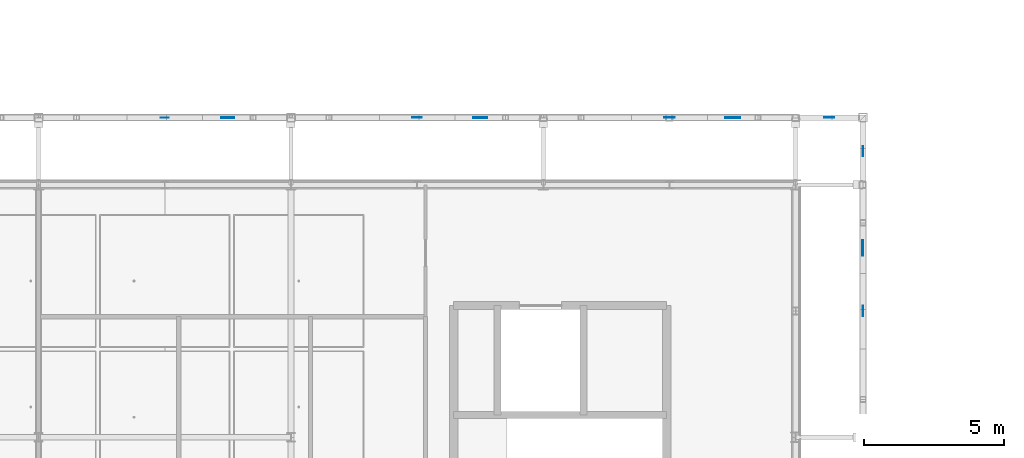
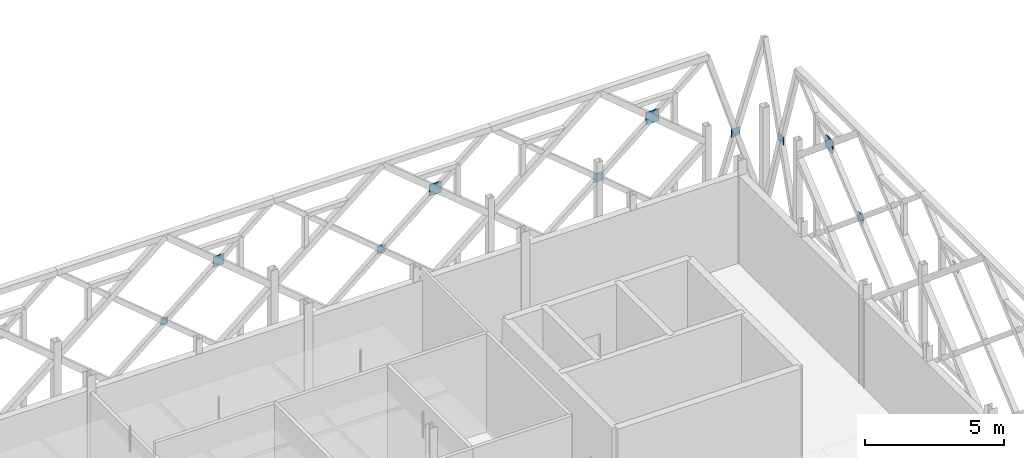
# One storey, part 41 of 66: 10 plates.
"""IFC4 building model written with IfcOpenShell, lengths in metres."""

from ifc_helpers import new_model, si_unit, direction, frame, origin, origin_2d, place, context, subcontext, project, spatial, rectangle, extrude, material, layer, layer_set, type_object, element, save


model = new_model("IFC4")

# Units and contexts
model_context = context("Model", 3, precision=1e-05, world=origin(), true_north=direction((0.0, 1.0)))
body_context = subcontext(model_context, "Body", "Model", "MODEL_VIEW")
ifc_project = project(units=[si_unit("LENGTHUNIT", "METRE"), si_unit("AREAUNIT", "SQUARE_METRE"), si_unit("VOLUMEUNIT", "CUBIC_METRE"), si_unit("PLANEANGLEUNIT", "RADIAN"), si_unit("MASSUNIT", "GRAM", prefix="KILO"), si_unit("THERMODYNAMICTEMPERATUREUNIT", "KELVIN"), si_unit("POWERUNIT", "WATT")], contexts=[model_context])

# Site, building, storey
site_placement = place(None, origin())
site = spatial("IfcSite", under=ifc_project, at=site_placement, CompositionType="ELEMENT")
building_placement = place(site_placement, origin())
building = spatial("IfcBuilding", under=site, at=building_placement, Name="Tallowbark Science Centre", CompositionType="ELEMENT")
storey_placement = place(building_placement, frame((0.0, 0.0, 18.89990234375)))
storey = spatial("IfcBuildingStorey", under=building, at=storey_placement, Name="L04", CompositionType="ELEMENT", Elevation=18.89990234375)

# Plates
ifc_material = material(Name="Structural Steel Grade 300PLUS (300 MPa)", Category="steel")
ifc_layer_1 = layer(ifc_material, 0.010009765625)
ifc_layer_set_1 = layer_set([ifc_layer_1], Name="Structural Steel Grade 300PLUS (300 MPa)")
plate_type_1 = type_object("IfcPlateType", Name="PLT-GUS-10", PredefinedType="SHEET", material=ifc_layer_set_1)
plate_1_placement = place(storey_placement, frame((81.0, 42.89990234375, 3.60009765625), z_axis=(0.0, 0.0, 1.0), x_axis=(1.0, 0.0, 0.0)))
element("IfcPlate", 1, at=plate_1_placement, inside=storey, type_object=plate_type_1, Name="Star X-Brace Crossing Gusset Plate N-41", PredefinedType="SHEET", context=body_context, shape_type="SweptSolid", body=[
    extrude(rectangle(XDim=0.300048828125, YDim=0.010009765625, at=origin_2d()), origin(), (0.0, 0.0, 1.0), 0.300048828125),
])
ifc_layer_2 = layer(ifc_material, 0.013916015625)
ifc_layer_set_2 = layer_set([ifc_layer_2], Name="Structural Steel Grade 300PLUS (300 MPa)")
plate_type_2 = type_object("IfcPlateType", Name="PLT-GUS-14", PredefinedType="SHEET", material=ifc_layer_set_2)
plate_2_placement = place(storey_placement, frame((90.0, 42.89990234375, 3.580078125), z_axis=(0.0, 0.0, 1.0), x_axis=(1.0, 0.0, 0.0)))
element("IfcPlate", 2, at=plate_2_placement, inside=storey, type_object=plate_type_2, Name="Star X-Brace Crossing Gusset Plate N-43", PredefinedType="SHEET", context=body_context, shape_type="SweptSolid", body=[
    extrude(rectangle(XDim=0.340087890625, YDim=0.013916015625, at=origin_2d()), origin(), (0.0, 0.0, 1.0), 0.340087890625),
])
ifc_layer_3 = layer(ifc_material, 0.01611328125)
ifc_layer_set_3 = layer_set([ifc_layer_3], Name="Structural Steel Grade 300PLUS (300 MPa)")
plate_type_3 = type_object("IfcPlateType", Name="PLT-GUS-16", PredefinedType="SHEET", material=ifc_layer_set_3)
for number, where, z_axis, x_axis, name in (
    (3, (104.699951171875, 42.89990234375, 3.56982421875), (0.0, 0.0, 1.0), (1.0, 0.0, 0.0), "Star Screen Corner X-Brace Gusset NEX-L04"),
    (4, (105.89990234375, 41.699951171875, 3.56982421875), (0.0, 0.0, 1.0), (0.0, 1.0, 0.0), "Star Screen Corner X-Brace Gusset NEY-L04"),
):
    element("IfcPlate", number, at=place(storey_placement, frame(where, z_axis=z_axis, x_axis=x_axis)), inside=storey, type_object=plate_type_3, Name=name, PredefinedType="SHEET", context=body_context, shape_type="SweptSolid", body=[
        extrude(rectangle(XDim=0.360107421875, YDim=0.01611328125, at=origin_2d()), origin(), (0.0, 0.0, 1.0), 0.360107421875),
    ])
ifc_layer_4 = layer(ifc_material, 0.01806640625)
ifc_layer_set_4 = layer_set([ifc_layer_4], Name="Structural Steel Grade 300PLUS (300 MPa)")
plate_type_4 = type_object("IfcPlateType", Name="PLT-GUS-18", PredefinedType="SHEET", material=ifc_layer_set_4)
for number, where, z_axis, x_axis, name in (
    (5, (99.0, 42.89990234375, 3.56005859375), (0.0, 0.0, 1.0), (1.0, 0.0, 0.0), "Star X-Brace Crossing Gusset Plate N-45"),
    (6, (105.89990234375, 36.0, 3.56005859375), (0.0, 0.0, 1.0), (0.0, 1.0, 0.0), "Star X-Brace Crossing Gusset Plate E-53"),
):
    element("IfcPlate", number, at=place(storey_placement, frame(where, z_axis=z_axis, x_axis=x_axis)), inside=storey, type_object=plate_type_4, Name=name, PredefinedType="SHEET", context=body_context, shape_type="SweptSolid", body=[
        extrude(rectangle(XDim=0.3798828125, YDim=0.01806640625, at=origin_2d()), origin(), (0.0, 0.0, 1.0), 0.3798828125),
    ])
ifc_layer_5 = layer(ifc_material, 0.02587890625)
ifc_layer_set_5 = layer_set([ifc_layer_5], Name="Structural Steel Grade 300PLUS (300 MPa)")
plate_type_5 = type_object("IfcPlateType", Name="PLT-GUS-26", PredefinedType="SHEET", material=ifc_layer_set_5)
plate_3_placement = place(storey_placement, frame((83.25, 42.89990234375, 5.39501953125), z_axis=(0.0, 0.0, 1.0), x_axis=(1.0, 0.0, 0.0)))
element("IfcPlate", 7, at=plate_3_placement, inside=storey, type_object=plate_type_5, Name="Star Primary Chord Crossing Gusset Plate N-41", PredefinedType="SHEET", context=body_context, shape_type="SweptSolid", body=[
    extrude(rectangle(XDim=0.4599609375, YDim=0.02587890625, at=origin_2d()), origin(), (0.0, 0.0, 1.0), 0.4599609375),
])
ifc_layer_6 = layer(ifc_material, 0.030029296875)
ifc_layer_set_6 = layer_set([ifc_layer_6], Name="Structural Steel Grade 300PLUS (300 MPa)")
plate_type_6 = type_object("IfcPlateType", Name="PLT-GUS-30", PredefinedType="SHEET", material=ifc_layer_set_6)
plate_4_placement = place(storey_placement, frame((92.25, 42.89990234375, 5.375), z_axis=(0.0, 0.0, 1.0), x_axis=(1.0, 0.0, 0.0)))
element("IfcPlate", 8, at=plate_4_placement, inside=storey, type_object=plate_type_6, Name="Star Primary Chord Crossing Gusset Plate N-43", PredefinedType="SHEET", context=body_context, shape_type="SweptSolid", body=[
    extrude(rectangle(XDim=0.5, YDim=0.030029296875, at=origin_2d()), origin(), (0.0, 0.0, 1.0), 0.5),
])
ifc_layer_7 = layer(ifc_material, 0.033935546875)
ifc_layer_set_7 = layer_set([ifc_layer_7], Name="Structural Steel Grade 300PLUS (300 MPa)")
plate_type_7 = type_object("IfcPlateType", Name="PLT-GUS-34", PredefinedType="SHEET", material=ifc_layer_set_7)
for number, where, z_axis, x_axis, name in (
    (9, (101.25, 42.89990234375, 5.35498046875), (0.0, 0.0, 1.0), (1.0, 0.0, 0.0), "Star Primary Chord Crossing Gusset Plate N-45"),
    (10, (105.89990234375, 38.25, 5.35498046875), (0.0, 0.0, 1.0), (0.0, 1.0, 0.0), "Star Primary Chord Crossing Gusset Plate E-53"),
):
    element("IfcPlate", number, at=place(storey_placement, frame(where, z_axis=z_axis, x_axis=x_axis)), inside=storey, type_object=plate_type_7, Name=name, PredefinedType="SHEET", context=body_context, shape_type="SweptSolid", body=[
        extrude(rectangle(XDim=0.5400390625, YDim=0.033935546875, at=origin_2d()), origin(), (0.0, 0.0, 1.0), 0.5400390625),
    ])

save(model, "model.ifc")
